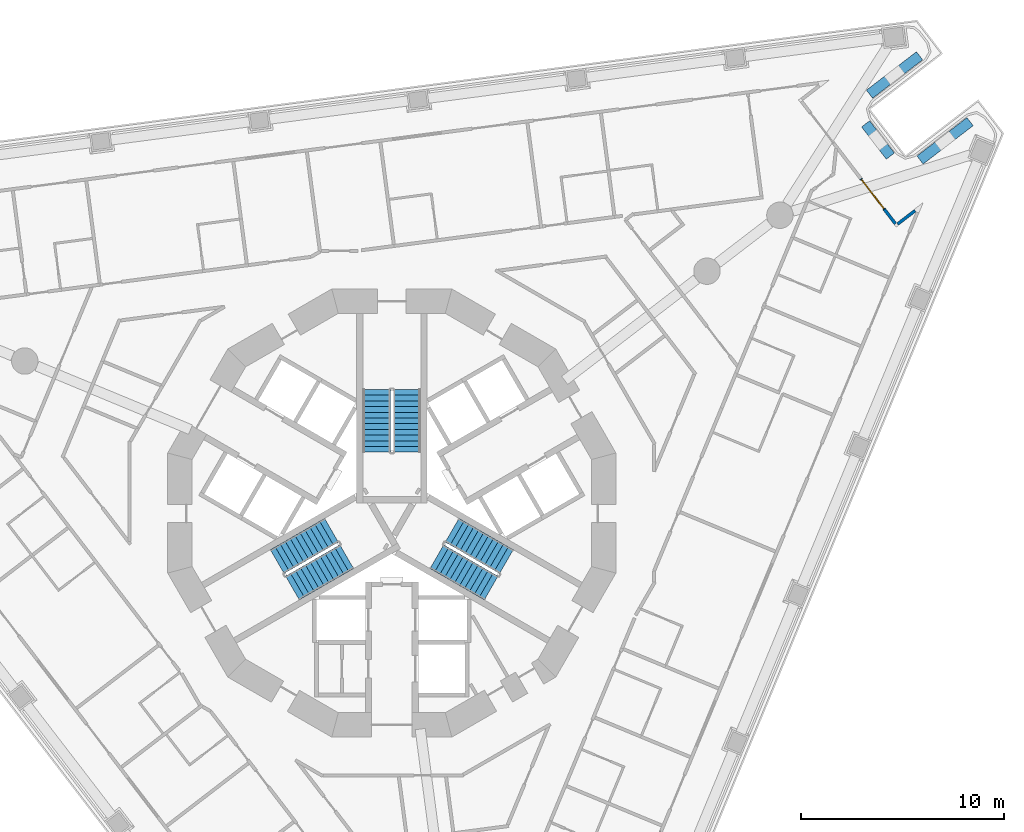
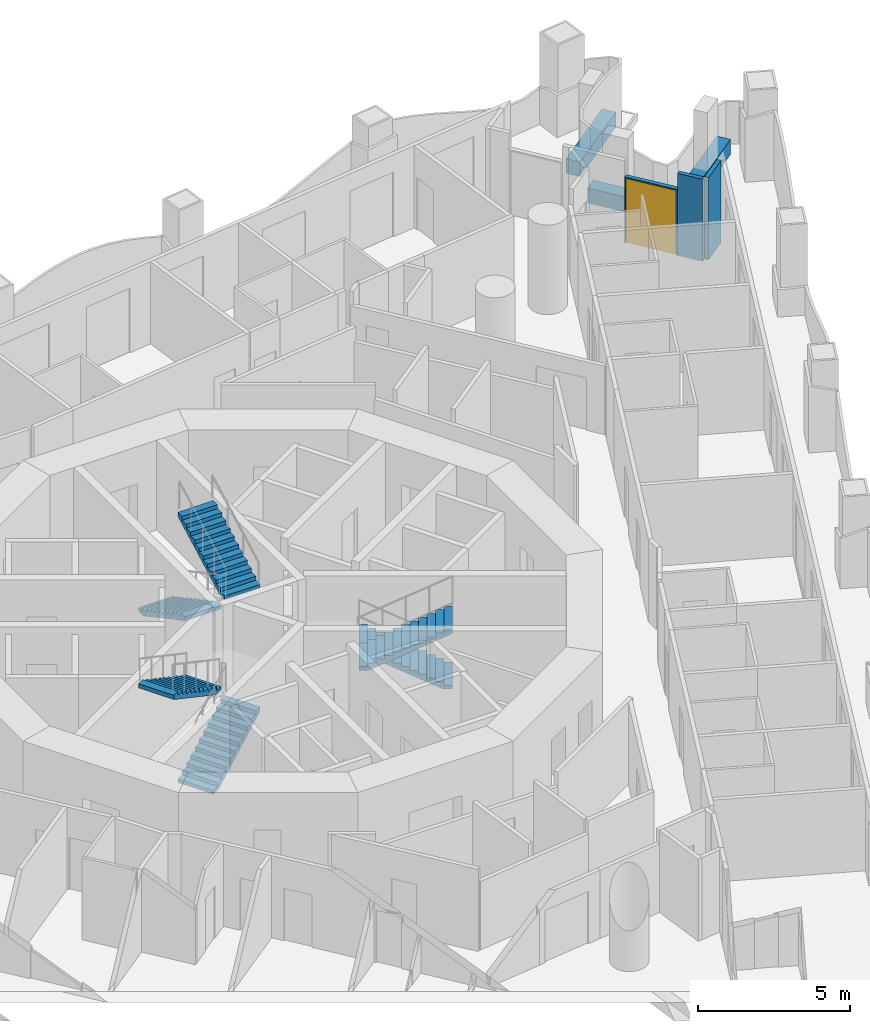
# One storey, part 11 of 19: 6 stair flights, 6 walls, 1 door, 1 opening, 3 elements without a shape of their own.
"""IFC4 building model written with IfcOpenShell, lengths in metres."""

from ifc_helpers import new_model, si_unit, direction, frame, frame_2d, origin, place, context, subcontext, project, spatial, polyline, rectangle, outline, extrude, material, layer, layer_set, type_object, element, fill, aggregate, save


model = new_model("IFC4")

# Units and contexts
model_context = context("Model", 3, precision=1e-05, world=origin(), true_north=direction((0.0, 1.0)))
body_context = subcontext(model_context, "Body", "Model", "MODEL_VIEW")
ifc_project = project(units=[si_unit("LENGTHUNIT", "METRE"), si_unit("AREAUNIT", "SQUARE_METRE"), si_unit("VOLUMEUNIT", "CUBIC_METRE"), si_unit("PLANEANGLEUNIT", "RADIAN"), si_unit("MASSUNIT", "GRAM", prefix="KILO")], contexts=[model_context])

# Site, building, storey
site_placement = place(None, origin())
site = spatial("IfcSite", under=ifc_project, at=site_placement, CompositionType="ELEMENT")
building_placement = place(site_placement, origin())
building = spatial("IfcBuilding", under=site, at=building_placement, Name="Trine Commons Tower", CompositionType="ELEMENT")
storey_placement = place(building_placement, frame((0.0, 0.0, 72.0)))
storey = spatial("IfcBuildingStorey", under=building, at=storey_placement, Name="L17", CompositionType="ELEMENT", Elevation=72.0)

# Wall, opening, door
ifc_material_1 = material(Name="Aluminium-framed insulated wall panel", Category="aluminium")
ifc_layer_1 = layer(ifc_material_1, 0.14990234375)
ifc_layer_set_1 = layer_set([ifc_layer_1], Name="Aluminium-framed insulated wall panel")
wall_type_1 = type_object("IfcWallType", Name="Glazed frame wall 150, EI 60", PredefinedType="SOLIDWALL", material=ifc_layer_set_1)
wall_1_placement = place(storey_placement, frame((103.051513671875, 78.927490234375, 0.0), z_axis=(0.0, 0.0, 1.0), x_axis=(0.608803740143, -0.793320872023, 0.0)))
wall_1 = element("IfcWall", 1, at=wall_1_placement, inside=storey, type_object=wall_type_1, Name="Glazed frame wall P2.4", PredefinedType="SOLIDWALL", context=body_context, shape_type="SweptSolid", body=[
    extrude(outline(polyline([(0.0, -0.074951171875), (1.89990234375, -0.074951171875), (1.89990234375, 0.074951171875), (0.0, 0.074951171875), (0.0, -0.074951171875)])), origin(), (0.0, 0.0, 1.0), 2.64990234375),
])
opening_placement = place(wall_1_placement, frame((0.050048828125, 0.0, 0.0)))
opening = element("IfcOpeningElement", 2, at=opening_placement, cuts=wall_1, Name="Opening BD-2P2-02", PredefinedType="OPENING", context=body_context, shape_type="SweptSolid", body=[
    extrude(rectangle(XDim=1.800048828125, YDim=2.60009765625, at=frame_2d((0.89990234375, 1.300048828125))), frame((0.0, 0.0849609375, 0.0), z_axis=(0.0, -1.0, 0.0), x_axis=(1.0, 0.0, 0.0)), (0.0, 0.0, 1.0), 0.169921875),
])
ifc_material_2 = material(Name="Anodised aluminium frame with double glazing", Category="aluminium")
door_type = type_object("IfcDoorType", Name="Sliding loggia door 1800x2600", OperationType="SLIDING_TO_LEFT", PredefinedType="DOOR", material=ifc_material_2)
door_placement = place(opening_placement, origin())
door = element("IfcDoor", 3, at=door_placement, inside=storey, type_object=door_type, Name="Loggia door P2 2", OperationType="SLIDING_TO_LEFT", OverallHeight=2.60009765625, OverallWidth=1.800048828125, PredefinedType="DOOR", context=body_context, shape_type="SweptSolid", body=[
    extrude(rectangle(XDim=1.800048828125, YDim=2.60009765625, at=frame_2d((0.89990234375, 1.300048828125))), frame((0.0, 0.02490234375, 0.0), z_axis=(0.0, -1.0, 0.0), x_axis=(1.0, 0.0, 0.0)), (0.0, 0.0, 1.0), 0.050048828125),
])
fill(opening, door)

# Walls
wall_2_placement = place(storey_placement, frame((104.208251953125, 77.420166015625, 0.0), z_axis=(0.0, 0.0, 1.0), x_axis=(0.608754453805, -0.793358692504, 0.0)))
element("IfcWall", 4, at=wall_2_placement, inside=storey, type_object=wall_type_1, Name="Glazed frame wall P2.5", PredefinedType="SOLIDWALL", context=body_context, shape_type="SweptSolid", body=[
    extrude(outline(polyline([(0.889892578125, 0.074951171875), (0.0, 0.074951171875), (0.0, -0.074951171875), (0.889892578125, -0.074951171875), (0.889892578125, 0.074951171875)])), origin(), (0.0, 0.0, 1.0), 3.300048828125),
])
wall_3_placement = place(storey_placement, frame((104.767822265625, 76.63330078125, 0.0), z_axis=(0.0, 0.0, 1.0), x_axis=(0.793352136239, 0.608762998157, 0.0)))
element("IfcWall", 5, at=wall_3_placement, inside=storey, type_object=wall_type_1, Name="Glazed frame wall R7", PredefinedType="SOLIDWALL", context=body_context, shape_type="SweptSolid", body=[
    extrude(outline(polyline([(0.110107421875, 0.074951171875), (0.110107421875, -0.074951171875), (1.19580078125, -0.074951171875), (1.19580078125, 0.074951171875), (0.110107421875, 0.074951171875)])), origin(), (0.0, 0.0, 1.0), 3.300048828125),
])
ifc_material_3 = material(Name="Planter trough, precast concrete C40/50", Category="concrete")
ifc_layer_2 = layer(ifc_material_3, 0.5)
ifc_layer_set_2 = layer_set([ifc_layer_2], Name="Planter trough, precast concrete C40/50")
wall_type_2 = type_object("IfcWallType", Name="Planter trough 500x600", PredefinedType="PARAPET", material=ifc_layer_set_2)
wall_4_placement = place(storey_placement, frame((105.933349609375, 84.970703125, 0.0), z_axis=(0.0, 0.0, 1.0), x_axis=(-0.793355321014, -0.608758847671, 0.0)))
element("IfcWall", 6, at=wall_4_placement, inside=storey, type_object=wall_type_2, Name="Planter 4", PredefinedType="PARAPET", context=body_context, shape_type="SweptSolid", body=[
    extrude(rectangle(XDim=3.10009765625, YDim=0.5, at=frame_2d((1.550048828125, 0.0))), origin(), (0.0, 0.0, 1.0), 0.60009765625),
])
wall_5_placement = place(storey_placement, frame((103.281982421875, 81.625244140625, 0.0), z_axis=(0.0, 0.0, 1.0), x_axis=(0.608772331974, -0.793344974033, 0.0)))
element("IfcWall", 7, at=wall_5_placement, inside=storey, type_object=wall_type_2, Name="Planter 5", PredefinedType="PARAPET", context=body_context, shape_type="SweptSolid", body=[
    extrude(rectangle(XDim=2.0, YDim=0.5, at=frame_2d((1.0, 0.0))), origin(), (0.0, 0.0, 1.0), 0.60009765625),
])
wall_6_placement = place(storey_placement, frame((105.95751953125, 79.8466796875, 0.0), z_axis=(0.0, 0.0, 1.0), x_axis=(0.793355321014, 0.608758847671, 0.0)))
element("IfcWall", 8, at=wall_6_placement, inside=storey, type_object=wall_type_2, Name="Planter 6", PredefinedType="PARAPET", context=body_context, shape_type="SweptSolid", body=[
    extrude(rectangle(XDim=3.10009765625, YDim=0.5, at=frame_2d((1.550048828125, 0.0))), origin(), (0.0, 0.0, 1.0), 0.60009765625),
])

# Stair, stair flights
ifc_material_4 = material(Name="Concrete C50/60", Category="concrete")
stair_type = type_object("IfcStairType", Name="Exit stair, dog-leg, 24 risers of 150 mm", PredefinedType="HALF_TURN_STAIR", material=ifc_material_4)
stair_1_placement = place(storey_placement, origin())
stair_1 = element("IfcStair", 9, at=stair_1_placement, inside=storey, type_object=stair_type, Name="L17 Exit stair ST1A", PredefinedType="HALF_TURN_STAIR")
stair_flight_type = type_object("IfcStairFlightType", Name="Stair flight, 1350 wide, 12 risers of 150 mm", PredefinedType="STRAIGHT", material=ifc_material_4)
stair_flight_1_placement = place(storey_placement, frame((79.25, 68.570556640625, 0.0), z_axis=(0.0, 0.0, 1.0), x_axis=(0.0, -1.0, 0.0)))
stair_flight_1 = element("IfcStairFlight", 10, at=stair_flight_1_placement, type_object=stair_flight_type, Name="ST1A flight 1", NumberOfRisers=12, NumberOfTreads=11, PredefinedType="STRAIGHT", RiserHeight=0.15, TreadLength=0.28, context=body_context, shape_type="SweptSolid", body=[
    extrude(outline(polyline([(0.0, 0.0), (0.0, 0.14990234375), (0.280029296875, 0.14990234375), (0.280029296875, 0.300048828125), (0.56005859375, 0.300048828125), (0.56005859375, 0.449951171875), (0.840087890625, 0.449951171875), (0.840087890625, 0.60009765625), (1.1201171875, 0.60009765625), (1.1201171875, 0.75), (1.39990234375, 0.75), (1.39990234375, 0.89990234375), (1.679931640625, 0.89990234375), (1.679931640625, 1.050048828125), (1.9599609375, 1.050048828125), (1.9599609375, 1.199951171875), (2.239990234375, 1.199951171875), (2.239990234375, 1.35009765625), (2.52001953125, 1.35009765625), (2.52001953125, 1.5), (2.800048828125, 1.5), (2.800048828125, 1.64990234375), (3.080078125, 1.64990234375), (3.080078125, 1.800048828125), (3.080078125, 1.47998046875), (0.3173828125, 0.0), (0.0, 0.0)])), frame((0.0, 0.675048828125, 0.0), z_axis=(0.0, -1.0, 0.0), x_axis=(1.0, 0.0, 0.0)), (0.0, 0.0, 1.0), 1.35009765625),
])
stair_flight_2_placement = place(storey_placement, frame((80.75, 65.490478515625, 1.800048828125), z_axis=(0.0, 0.0, 1.0), x_axis=(0.0, 1.0, 0.0)))
stair_flight_2 = element("IfcStairFlight", 11, at=stair_flight_2_placement, type_object=stair_flight_type, Name="ST1A flight 2", NumberOfRisers=12, NumberOfTreads=11, PredefinedType="STRAIGHT", RiserHeight=0.15, TreadLength=0.28, context=body_context, shape_type="SweptSolid", body=[
    extrude(outline(polyline([(0.0, 0.0), (0.0, 0.14990234375), (0.280029296875, 0.14990234375), (0.280029296875, 0.300048828125), (0.56005859375, 0.300048828125), (0.56005859375, 0.449951171875), (0.840087890625, 0.449951171875), (0.840087890625, 0.60009765625), (1.1201171875, 0.60009765625), (1.1201171875, 0.75), (1.39990234375, 0.75), (1.39990234375, 0.89990234375), (1.679931640625, 0.89990234375), (1.679931640625, 1.050048828125), (1.9599609375, 1.050048828125), (1.9599609375, 1.199951171875), (2.239990234375, 1.199951171875), (2.239990234375, 1.35009765625), (2.52001953125, 1.35009765625), (2.52001953125, 1.5), (2.800048828125, 1.5), (2.800048828125, 1.64990234375), (3.080078125, 1.64990234375), (3.080078125, 1.800048828125), (3.080078125, 1.47998046875), (0.3173828125, 0.0), (0.0, 0.0)])), frame((0.0, 0.675048828125, 0.0), z_axis=(0.0, -1.0, 0.0), x_axis=(1.0, 0.0, 0.0)), (0.0, 0.0, 1.0), 1.35009765625),
])
aggregate(stair_1, [stair_flight_1, stair_flight_2])

stair_2_placement = place(storey_placement, origin())
stair_2 = element("IfcStair", 12, at=stair_2_placement, inside=storey, type_object=stair_type, Name="L17 Exit stair ST2A", PredefinedType="HALF_TURN_STAIR")
stair_flight_3_placement = place(storey_placement, frame((75.11767578125, 58.815185546875, 0.0), z_axis=(0.0, 0.0, 1.0), x_axis=(0.866025403784, 0.5, 0.0)))
stair_flight_3 = element("IfcStairFlight", 13, at=stair_flight_3_placement, type_object=stair_flight_type, Name="ST2A flight 1", NumberOfRisers=12, NumberOfTreads=11, PredefinedType="STRAIGHT", RiserHeight=0.15, TreadLength=0.28, context=body_context, shape_type="SweptSolid", body=[
    extrude(outline(polyline([(0.0, 0.0), (0.0, 0.14990234375), (0.280029296875, 0.14990234375), (0.280029296875, 0.300048828125), (0.56005859375, 0.300048828125), (0.56005859375, 0.449951171875), (0.840087890625, 0.449951171875), (0.840087890625, 0.60009765625), (1.1201171875, 0.60009765625), (1.1201171875, 0.75), (1.39990234375, 0.75), (1.39990234375, 0.89990234375), (1.679931640625, 0.89990234375), (1.679931640625, 1.050048828125), (1.9599609375, 1.050048828125), (1.9599609375, 1.199951171875), (2.239990234375, 1.199951171875), (2.239990234375, 1.35009765625), (2.52001953125, 1.35009765625), (2.52001953125, 1.5), (2.800048828125, 1.5), (2.800048828125, 1.64990234375), (3.080078125, 1.64990234375), (3.080078125, 1.800048828125), (3.080078125, 1.47998046875), (0.3173828125, 0.0), (0.0, 0.0)])), frame((0.0, 0.675048828125, 0.0), z_axis=(0.0, -1.0, 0.0), x_axis=(1.0, 0.0, 0.0)), (0.0, 0.0, 1.0), 1.35009765625),
])
stair_flight_4_placement = place(storey_placement, frame((77.03515625, 61.654296875, 1.800048828125), z_axis=(0.0, 0.0, 1.0), x_axis=(-0.866025403784, -0.5, 0.0)))
stair_flight_4 = element("IfcStairFlight", 14, at=stair_flight_4_placement, type_object=stair_flight_type, Name="ST2A flight 2", NumberOfRisers=12, NumberOfTreads=11, PredefinedType="STRAIGHT", RiserHeight=0.15, TreadLength=0.28, context=body_context, shape_type="SweptSolid", body=[
    extrude(outline(polyline([(0.0, 0.0), (0.0, 0.14990234375), (0.280029296875, 0.14990234375), (0.280029296875, 0.300048828125), (0.56005859375, 0.300048828125), (0.56005859375, 0.449951171875), (0.840087890625, 0.449951171875), (0.840087890625, 0.60009765625), (1.1201171875, 0.60009765625), (1.1201171875, 0.75), (1.39990234375, 0.75), (1.39990234375, 0.89990234375), (1.679931640625, 0.89990234375), (1.679931640625, 1.050048828125), (1.9599609375, 1.050048828125), (1.9599609375, 1.199951171875), (2.239990234375, 1.199951171875), (2.239990234375, 1.35009765625), (2.52001953125, 1.35009765625), (2.52001953125, 1.5), (2.800048828125, 1.5), (2.800048828125, 1.64990234375), (3.080078125, 1.64990234375), (3.080078125, 1.800048828125), (3.080078125, 1.47998046875), (0.3173828125, 0.0), (0.0, 0.0)])), frame((0.0, 0.675048828125, 0.0), z_axis=(0.0, -1.0, 0.0), x_axis=(1.0, 0.0, 0.0)), (0.0, 0.0, 1.0), 1.35009765625),
])
aggregate(stair_2, [stair_flight_3, stair_flight_4])

stair_3_placement = place(storey_placement, origin())
stair_3 = element("IfcStair", 15, at=stair_3_placement, inside=storey, type_object=stair_type, Name="L17 Exit stair ST3A", PredefinedType="HALF_TURN_STAIR")
stair_flight_5_placement = place(storey_placement, frame((85.63232421875, 60.1142578125, 0.0), z_axis=(0.0, 0.0, 1.0), x_axis=(-0.866025403784, 0.5, 0.0)))
stair_flight_5 = element("IfcStairFlight", 16, at=stair_flight_5_placement, type_object=stair_flight_type, Name="ST3A flight 1", NumberOfRisers=12, NumberOfTreads=11, PredefinedType="STRAIGHT", RiserHeight=0.15, TreadLength=0.28, context=body_context, shape_type="SweptSolid", body=[
    extrude(outline(polyline([(0.0, 0.0), (0.0, 0.14990234375), (0.280029296875, 0.14990234375), (0.280029296875, 0.300048828125), (0.56005859375, 0.300048828125), (0.56005859375, 0.449951171875), (0.840087890625, 0.449951171875), (0.840087890625, 0.60009765625), (1.1201171875, 0.60009765625), (1.1201171875, 0.75), (1.39990234375, 0.75), (1.39990234375, 0.89990234375), (1.679931640625, 0.89990234375), (1.679931640625, 1.050048828125), (1.9599609375, 1.050048828125), (1.9599609375, 1.199951171875), (2.239990234375, 1.199951171875), (2.239990234375, 1.35009765625), (2.52001953125, 1.35009765625), (2.52001953125, 1.5), (2.800048828125, 1.5), (2.800048828125, 1.64990234375), (3.080078125, 1.64990234375), (3.080078125, 1.800048828125), (3.080078125, 1.47998046875), (0.3173828125, 0.0), (0.0, 0.0)])), frame((0.0, 0.675048828125, 0.0), z_axis=(0.0, -1.0, 0.0), x_axis=(1.0, 0.0, 0.0)), (0.0, 0.0, 1.0), 1.35009765625),
])
stair_flight_6_placement = place(storey_placement, frame((82.21484375, 60.355224609375, 1.800048828125), z_axis=(0.0, 0.0, 1.0), x_axis=(0.866025403784, -0.5, 0.0)))
stair_flight_6 = element("IfcStairFlight", 17, at=stair_flight_6_placement, type_object=stair_flight_type, Name="ST3A flight 2", NumberOfRisers=12, NumberOfTreads=11, PredefinedType="STRAIGHT", RiserHeight=0.15, TreadLength=0.28, context=body_context, shape_type="SweptSolid", body=[
    extrude(outline(polyline([(0.0, 0.0), (0.0, 0.14990234375), (0.280029296875, 0.14990234375), (0.280029296875, 0.300048828125), (0.56005859375, 0.300048828125), (0.56005859375, 0.449951171875), (0.840087890625, 0.449951171875), (0.840087890625, 0.60009765625), (1.1201171875, 0.60009765625), (1.1201171875, 0.75), (1.39990234375, 0.75), (1.39990234375, 0.89990234375), (1.679931640625, 0.89990234375), (1.679931640625, 1.050048828125), (1.9599609375, 1.050048828125), (1.9599609375, 1.199951171875), (2.239990234375, 1.199951171875), (2.239990234375, 1.35009765625), (2.52001953125, 1.35009765625), (2.52001953125, 1.5), (2.800048828125, 1.5), (2.800048828125, 1.64990234375), (3.080078125, 1.64990234375), (3.080078125, 1.800048828125), (3.080078125, 1.47998046875), (0.3173828125, 0.0), (0.0, 0.0)])), frame((0.0, 0.675048828125, 0.0), z_axis=(0.0, -1.0, 0.0), x_axis=(1.0, 0.0, 0.0)), (0.0, 0.0, 1.0), 1.35009765625),
])
aggregate(stair_3, [stair_flight_5, stair_flight_6])

save(model, "model.ifc")
